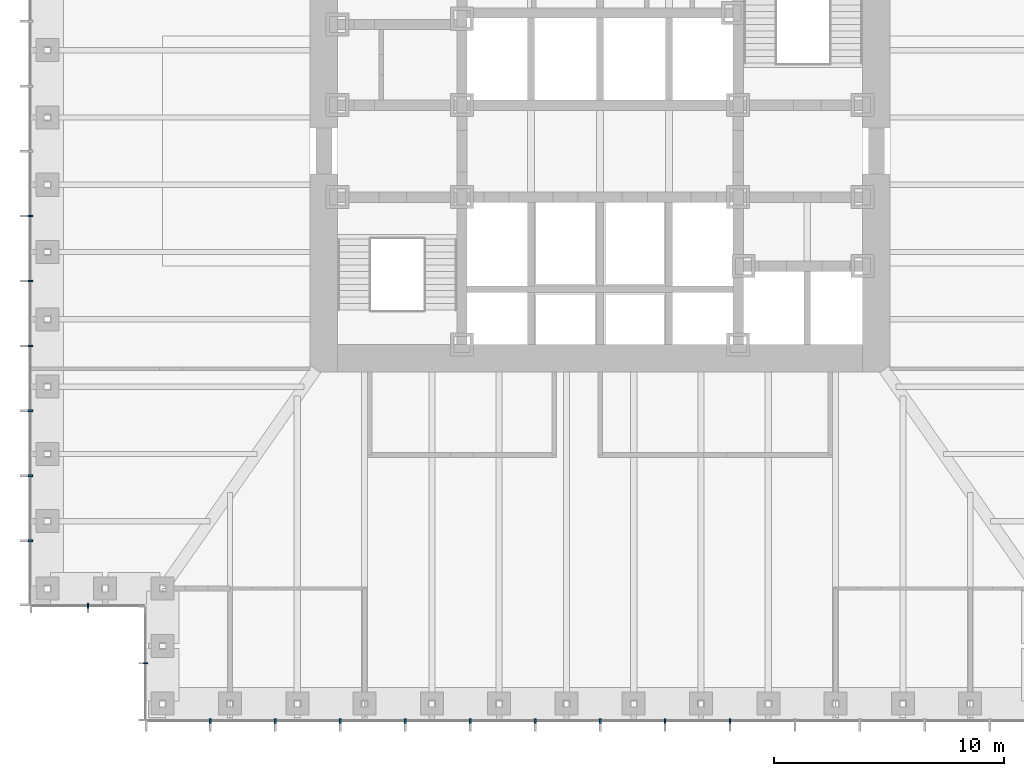
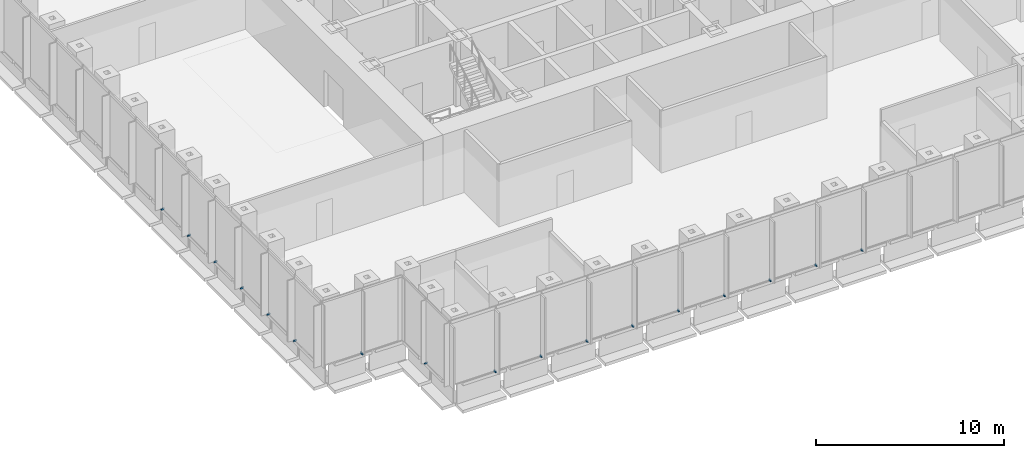
# One storey, part 11 of 16: 17 discrete accessories.
"""IFC4 building model written with IfcOpenShell, lengths in metres."""

import ifcopenshell
import ifcopenshell.guid

model = None  # the IFC model being written
_history = None  # IfcOwnerHistory: only IFC2X3 demands one
_inside = {}  # id of a spatial element -> (the spatial element, [elements in it])
_under = {}  # id of a project, library or spatial element -> (it, [spatial elements below it])
_declared = {}  # id of a project -> (the project, [libraries it declares])
_typed = {}  # id of a type object -> (the type object, [elements of that type])
_made_of = {}  # id of a material, layer set ... -> (it, [elements and type objects made of it])


def new_model(schema):
    """Start an empty IFC model of exactly this schema.

    Asked for "IFC4X3", IfcOpenShell would pick the latest addendum, in which some entities
    have other attributes; the version numbers below select the first issue.
    IFC2X3 requires an IfcOwnerHistory on every rooted entity: one is made here for all.
    """
    global model, _history
    if schema == "IFC4X3":
        model = ifcopenshell.file(schema_version=(4, 3, 0, 0))
    else:
        model = ifcopenshell.file(schema=schema)
    _inside.clear()
    _under.clear()
    _declared.clear()
    _typed.clear()
    _made_of.clear()
    _history = None
    if model.schema == "IFC2X3":
        org = make("IfcOrganization", Name="unknown")
        user = make(
            "IfcPersonAndOrganization",
            ThePerson=make("IfcPerson", FamilyName="unknown"),
            TheOrganization=org,
        )
        app = make(
            "IfcApplication",
            ApplicationDeveloper=org,
            Version="unknown",
            ApplicationFullName="unknown",
            ApplicationIdentifier="unknown",
        )
        _history = make(
            "IfcOwnerHistory",
            OwningUser=user,
            OwningApplication=app,
            ChangeAction="ADDED",
            CreationDate=0,
        )
    return model


def make(cls, **values):
    """One entity of the class cls with the attributes given. An attribute that is None is left unset."""
    return model.create_entity(
        cls, **{name: value for name, value in values.items() if value is not None}
    )


def rooted(cls, **values):
    """An entity with a GlobalId (a new one), such as an element, a storey or a relation."""
    return make(cls, GlobalId=ifcopenshell.guid.new(), OwnerHistory=_history, **values)


def si_unit(unit_type, name, prefix=None):
    """IfcSIUnit, for example si_unit("LENGTHUNIT", "METRE", prefix="MILLI")."""
    return make("IfcSIUnit", UnitType=unit_type, Prefix=prefix, Name=name)


def assignment(units):
    """IfcUnitAssignment: the units of a project."""
    return None if units is None else make("IfcUnitAssignment", Units=units)


def point(xyz):
    """IfcCartesianPoint."""
    return None if xyz is None else make("IfcCartesianPoint", Coordinates=xyz)


def direction(xyz):
    """IfcDirection."""
    return None if xyz is None else make("IfcDirection", DirectionRatios=xyz)


def frame(location, z_axis=None, x_axis=None):
    """IfcAxis2Placement3D, a coordinate frame: its origin and axes. An axis left out is left unset."""
    return make(
        "IfcAxis2Placement3D",
        Location=point(location),
        Axis=direction(z_axis),
        RefDirection=direction(x_axis),
    )


def frame_2d(location, x_axis=None):
    """IfcAxis2Placement2D, a coordinate frame in the plane: its origin and x axis."""
    return make(
        "IfcAxis2Placement2D", Location=point(location), RefDirection=direction(x_axis)
    )


def origin():
    """The frame at (0, 0, 0) with its axes left unset."""
    return frame((0.0, 0.0, 0.0))


def origin_2d():
    """The frame at (0, 0) in the plane with its x axis left unset."""
    return frame_2d((0.0, 0.0))


def place(relative_to, where):
    """IfcLocalPlacement: puts the frame where relative to a parent placement (None: the world)."""
    return make(
        "IfcLocalPlacement", PlacementRelTo=relative_to, RelativePlacement=where
    )


def context(
    kind, dimensions, precision=None, world=None, true_north=None, identifier=None
):
    """IfcGeometricRepresentationContext, for example the 3D "Model" context."""
    return make(
        "IfcGeometricRepresentationContext",
        ContextIdentifier=identifier,
        ContextType=kind,
        CoordinateSpaceDimension=dimensions,
        Precision=precision,
        WorldCoordinateSystem=world,
        TrueNorth=true_north,
    )


def subcontext(parent, identifier, kind, view, scale=None):
    """IfcGeometricRepresentationSubContext, for example "Body" below "Model"."""
    return make(
        "IfcGeometricRepresentationSubContext",
        ContextIdentifier=identifier,
        ContextType=kind,
        ParentContext=parent,
        TargetScale=scale,
        TargetView=view,
    )


def project(units=None, contexts=None):
    """IfcProject with its units and contexts."""
    return rooted(
        "IfcProject",
        Name="project",
        RepresentationContexts=contexts,
        UnitsInContext=assignment(units),
    )


def spatial(cls, under=None, at=None, **own):
    """A site, building, storey or space (cls), placed at a placement, below another one or the project."""
    s = rooted(cls, ObjectPlacement=at, **own)
    if under is not None:
        _under.setdefault(under.id(), (under, []))[1].append(s)
    return s


def profile(cls, at=None, kind="AREA", **sizes):
    """A parametric profile (cls). Its sizes go by their IFC names, for example OverallWidth=200.0."""
    return make(cls, ProfileType=kind, Position=at, **sizes)


def rectangle(**sizes):
    """IfcRectangleProfileDef."""
    return profile("IfcRectangleProfileDef", **sizes)


def extrude(swept, where, along, depth):
    """IfcExtrudedAreaSolid: the profile swept, set in the frame where, extruded along a direction by depth."""
    return make(
        "IfcExtrudedAreaSolid",
        SweptArea=swept,
        Position=where,
        ExtrudedDirection=direction(along),
        Depth=depth,
    )


def shape(context_of_items, identifier, shape_type, items):
    """IfcShapeRepresentation: the items that make up one representation, for example the "Body"."""
    return make(
        "IfcShapeRepresentation",
        ContextOfItems=context_of_items,
        RepresentationIdentifier=identifier,
        RepresentationType=shape_type,
        Items=items,
    )


def made_of(thing, what):
    """Note that an element or type object is made of a material, layer set ...; save() writes the relation."""
    if what is not None:
        _made_of.setdefault(what.id(), (what, []))[1].append(thing)
    return thing


def element(
    cls,
    number,
    at=None,
    inside=None,
    cuts=None,
    type_object=None,
    material=None,
    context=None,
    identifier="Body",
    shape_type=None,
    held_by="IfcProductDefinitionShape",
    body=None,
    shapes=None,
    **own,
):
    """One element of the class cls, such as IfcWall. Its Tag is "e" and its number.

    at: its placement. inside: the storey or other place that contains it. cuts: it is an
    opening in that element (IfcRelVoidsElement). A single representation is given by context,
    identifier, shape_type and body (its items); several are given by shapes. held_by: the class
    of the entity that holds the representations. save() writes the other relations.
    """
    e = rooted(cls, Tag="e%d" % number, ObjectPlacement=at, **own)
    if body is not None:
        shapes = [shape(context, identifier, shape_type, body)]
    if shapes is not None:
        e.Representation = make(held_by, Representations=shapes)
    if inside is not None:
        _inside.setdefault(inside.id(), (inside, []))[1].append(e)
    if cuts is not None:
        rooted(
            "IfcRelVoidsElement", RelatingBuildingElement=cuts, RelatedOpeningElement=e
        )
    if type_object is not None:
        _typed.setdefault(type_object.id(), (type_object, []))[1].append(e)
    return made_of(e, material)


def aggregate(whole, parts):
    """IfcRelAggregates: a whole, such as a stair, and the parts it consists of."""
    return rooted("IfcRelAggregates", RelatingObject=whole, RelatedObjects=parts)


def save(model, path):
    """Write the relations noted so far, then the file.

    IfcRelAggregates (storeys below a building ...), IfcRelContainedInSpatialStructure (elements
    in a storey), IfcRelDefinesByType, IfcRelAssociatesMaterial and IfcRelDeclares: one each for
    every whole, place, type object, material and project.
    """
    for whole, parts in _under.values():
        aggregate(whole, parts)
    for where, things in _inside.values():
        rooted(
            "IfcRelContainedInSpatialStructure",
            RelatedElements=things,
            RelatingStructure=where,
        )
    for kind, things in _typed.values():
        rooted("IfcRelDefinesByType", RelatedObjects=things, RelatingType=kind)
    for what, things in _made_of.values():
        rooted("IfcRelAssociatesMaterial", RelatedObjects=things, RelatingMaterial=what)
    for by, libraries in _declared.values():
        rooted("IfcRelDeclares", RelatingContext=by, RelatedDefinitions=libraries)
    model.write(path)


model = new_model("IFC4")

# Units and contexts
model_context = context("Model", 3, precision=1e-05, world=origin(), true_north=direction((0.0, 1.0)))
body_context = subcontext(model_context, "Body", "Model", "MODEL_VIEW")
ifc_project = project(units=[si_unit("LENGTHUNIT", "METRE"), si_unit("AREAUNIT", "SQUARE_METRE"), si_unit("VOLUMEUNIT", "CUBIC_METRE"), si_unit("PLANEANGLEUNIT", "RADIAN"), si_unit("MASSUNIT", "GRAM", prefix="KILO")], contexts=[model_context])

# Site, building, storey
site_placement = place(None, origin())
site = spatial("IfcSite", under=ifc_project, at=site_placement, CompositionType="ELEMENT")
building_placement = place(site_placement, origin())
building = spatial("IfcBuilding", under=site, at=building_placement, Name="Daluyong Arena Tower", CompositionType="ELEMENT")
storey_placement = place(building_placement, frame((0.0, 0.0, 39.10009765625)))
storey = spatial("IfcBuildingStorey", under=building, at=storey_placement, Name="L07", CompositionType="ELEMENT", Elevation=39.10009765625)

# Discrete accessories
for number, where, z_axis, x_axis, name in (
    (1, (39.071533203125, 55.25, -0.10009765625), (0.0, 0.0, 1.0), (1.0, 0.0, 0.0), "curtain wall L07 S anchor bracket 2"),
    (2, (41.892822265625, 55.25, -0.10009765625), (0.0, 0.0, 1.0), (1.0, 0.0, 0.0), "curtain wall L07 S anchor bracket 3"),
    (3, (44.71435546875, 55.25, -0.10009765625), (0.0, 0.0, 1.0), (1.0, 0.0, 0.0), "curtain wall L07 S anchor bracket 4"),
    (4, (47.53564453125, 55.25, -0.10009765625), (0.0, 0.0, 1.0), (1.0, 0.0, 0.0), "curtain wall L07 S anchor bracket 5"),
    (5, (50.357177734375, 55.25, -0.10009765625), (0.0, 0.0, 1.0), (1.0, 0.0, 0.0), "curtain wall L07 S anchor bracket 6"),
    (6, (53.178466796875, 55.25, -0.10009765625), (0.0, 0.0, 1.0), (1.0, 0.0, 0.0), "curtain wall L07 S anchor bracket 7"),
    (7, (56.0, 55.25, -0.10009765625), (0.0, 0.0, 1.0), (1.0, 0.0, 0.0), "curtain wall L07 S anchor bracket 8"),
    (8, (58.821533203125, 55.25, -0.10009765625), (0.0, 0.0, 1.0), (1.0, 0.0, 0.0), "curtain wall L07 S anchor bracket 9"),
    (9, (61.642822265625, 55.25, -0.10009765625), (0.0, 0.0, 1.0), (1.0, 0.0, 0.0), "curtain wall L07 S anchor bracket 10"),
    (10, (31.25, 77.178466796875, -0.10009765625), (0.0, 0.0, 1.0), (0.0, -1.0, 0.0), "curtain wall L07 W anchor bracket 9"),
    (11, (31.25, 74.357177734375, -0.10009765625), (0.0, 0.0, 1.0), (0.0, -1.0, 0.0), "curtain wall L07 W anchor bracket 10"),
    (12, (31.25, 71.53564453125, -0.10009765625), (0.0, 0.0, 1.0), (0.0, -1.0, 0.0), "curtain wall L07 W anchor bracket 11"),
    (13, (31.25, 68.71435546875, -0.10009765625), (0.0, 0.0, 1.0), (0.0, -1.0, 0.0), "curtain wall L07 W anchor bracket 12"),
    (14, (31.25, 65.892822265625, -0.10009765625), (0.0, 0.0, 1.0), (0.0, -1.0, 0.0), "curtain wall L07 W anchor bracket 13"),
    (15, (31.25, 63.071533203125, -0.10009765625), (0.0, 0.0, 1.0), (0.0, -1.0, 0.0), "curtain wall L07 W anchor bracket 14"),
):
    element("IfcDiscreteAccessory", number, at=place(storey_placement, frame(where, z_axis=z_axis, x_axis=x_axis)), inside=storey, Name=name, PredefinedType="BRACKET", context=body_context, shape_type="SweptSolid", body=[
        extrude(rectangle(XDim=0.080078125, YDim=0.199951171875, at=origin_2d()), origin(), (0.0, 0.0, 1.0), 0.10009765625),
    ])
for number, where, z_axis, x_axis, name in (
    (16, (33.75, 60.25, -0.10009765625), (0.0, 0.0, 1.0), (1.0, 0.0, 0.0), "curtain wall L07 SW-S anchor bracket 2"),
    (17, (36.25, 57.75, -0.10009765625), (0.0, 0.0, 1.0), (0.0, -1.0, 0.0), "curtain wall L07 SW-W anchor bracket 2"),
):
    element("IfcDiscreteAccessory", number, at=place(storey_placement, frame(where, z_axis=z_axis, x_axis=x_axis)), inside=storey, Name=name, PredefinedType="BRACKET", context=body_context, shape_type="SweptSolid", body=[
        extrude(rectangle(XDim=0.06005859375, YDim=0.199951171875, at=origin_2d()), origin(), (0.0, 0.0, 1.0), 0.10009765625),
    ])

save(model, "model.ifc")
